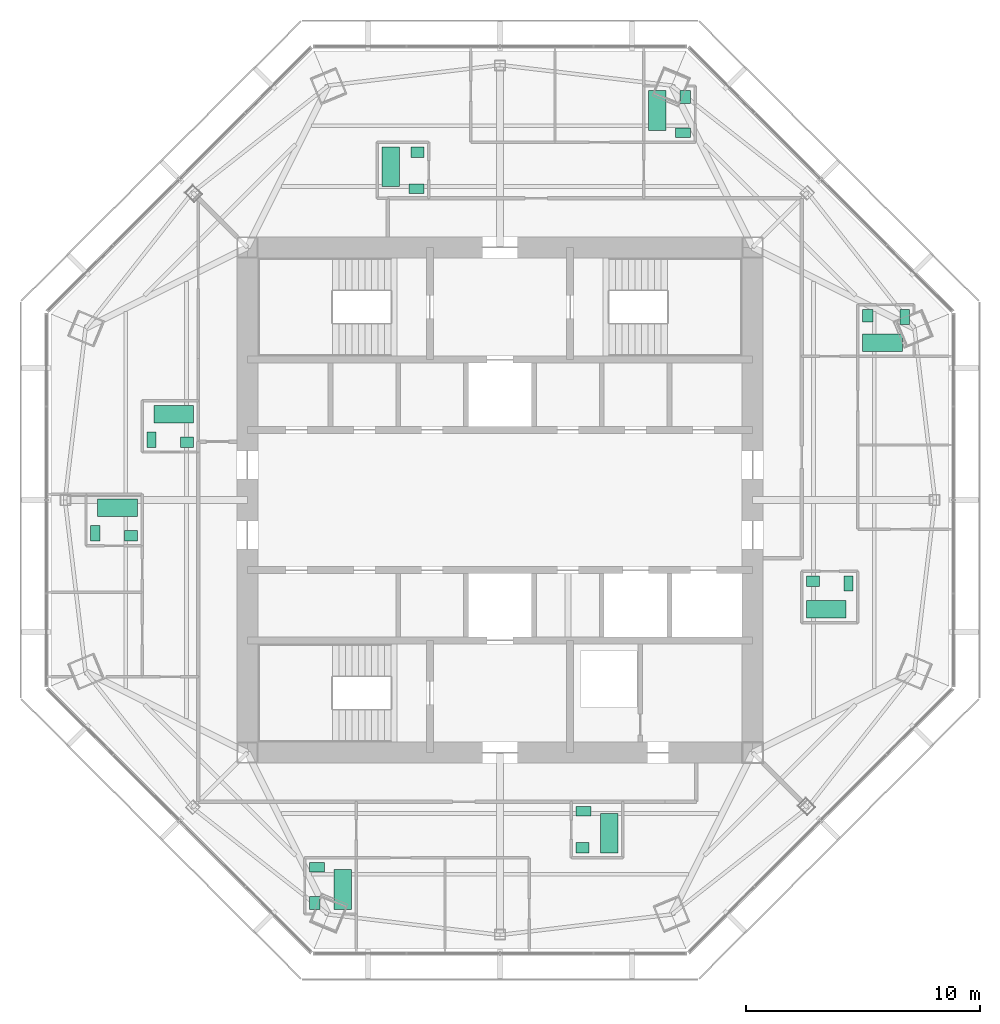
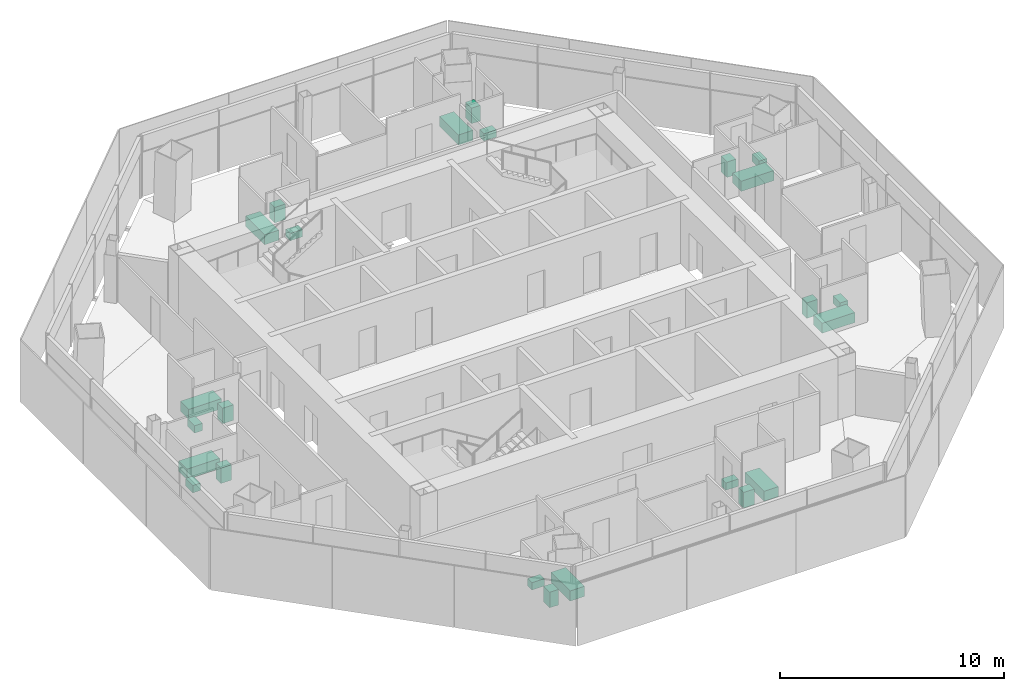
# One storey, part 15 of 15: 24 sanitary terminals.
"""IFC4 building model written with IfcOpenShell, lengths in metres."""

from ifc_helpers import new_model, si_unit, direction, frame, origin, origin_2d, place, context, subcontext, project, spatial, rectangle, extrude, material, type_object, element, save


model = new_model("IFC4")

# Units and contexts
model_context = context("Model", 3, precision=1e-05, world=origin(), true_north=direction((0.0, 1.0)))
body_context = subcontext(model_context, "Body", "Model", "MODEL_VIEW")
ifc_project = project(units=[si_unit("LENGTHUNIT", "METRE"), si_unit("AREAUNIT", "SQUARE_METRE"), si_unit("VOLUMEUNIT", "CUBIC_METRE"), si_unit("PLANEANGLEUNIT", "RADIAN"), si_unit("MASSUNIT", "GRAM", prefix="KILO")], contexts=[model_context])

# Site, building, storey
site_placement = place(None, origin())
site = spatial("IfcSite", under=ifc_project, at=site_placement, CompositionType="ELEMENT")
building_placement = place(site_placement, origin())
building = spatial("IfcBuilding", under=site, at=building_placement, Name="Mashrafa Tower", CompositionType="ELEMENT")
storey_placement = place(building_placement, frame((0.0, 0.0, 304.800048828125)))
storey = spatial("IfcBuildingStorey", under=building, at=storey_placement, Name="L75", CompositionType="ELEMENT", Elevation=304.800048828125)

# Sanitary terminals
ifc_material_1 = material(Name="Enamelled steel", Category="steel")
sanitary_terminal_type_1 = type_object("IfcSanitaryTerminalType", Name="Bath 1700 x 750", PredefinedType="BATH", material=ifc_material_1)
for number, where, z_axis, x_axis, name in (
    (1, (13.949951171875, -4.675048828125, 0.0), (0.0, 0.0, 1.0), (1.0, 0.0, 0.0), "Bath Apartment 7501 Bathroom"),
    (2, (16.35009765625, 6.72509765625, 0.0), (0.0, 0.0, 1.0), (1.0, 0.0, 0.0), "Bath Apartment 7501 En-suite Bathroom"),
    (3, (-4.675048828125, 14.25, 0.0), (0.0, 0.0, 1.0), (0.0, -1.0, 0.0), "Bath Apartment 7502 Bathroom"),
    (4, (6.72509765625, 16.64990234375, 0.0), (0.0, 0.0, 1.0), (0.0, -1.0, 0.0), "Bath Apartment 7502 En-suite Bathroom"),
    (5, (-13.949951171875, 3.675048828125, 0.0), (0.0, 0.0, 1.0), (-1.0, 0.0, 0.0), "Bath Apartment 7503 Bathroom"),
    (6, (-16.35009765625, -0.324951171875, 0.0), (0.0, 0.0, 1.0), (-1.0, 0.0, 0.0), "Bath Apartment 7503 En-suite Bathroom"),
    (7, (4.675048828125, -14.25, 0.0), (0.0, 0.0, 1.0), (0.0, 1.0, 0.0), "Bath Apartment 7504 Bathroom"),
    (8, (-6.72509765625, -16.64990234375, 0.0), (0.0, 0.0, 1.0), (0.0, 1.0, 0.0), "Bath Apartment 7504 En-suite Bathroom"),
):
    element("IfcSanitaryTerminal", number, at=place(storey_placement, frame(where, z_axis=z_axis, x_axis=x_axis)), inside=storey, type_object=sanitary_terminal_type_1, Name=name, PredefinedType="BATH", context=body_context, shape_type="SweptSolid", body=[
        extrude(rectangle(XDim=1.699951171875, YDim=0.75, at=origin_2d()), origin(), (0.0, 0.0, 1.0), 0.550048828125),
    ])
ifc_material_2 = material(Name="Vitreous china")
sanitary_terminal_type_2 = type_object("IfcSanitaryTerminalType", Name="Toilet pan 400 x 650", PredefinedType="TOILETPAN", material=ifc_material_2)
for number, where, z_axis, x_axis, name in (
    (9, (14.89990234375, -3.574951171875, 0.0), (0.0, 0.0, 1.0), (-1.0, 0.0, 0.0), "Toilet pan Apartment 7501 Bathroom"),
    (10, (17.300048828125, 7.824951171875, 0.0), (0.0, 0.0, 1.0), (-1.0, 0.0, 0.0), "Toilet pan Apartment 7501 En-suite Bathroom"),
    (11, (-3.574951171875, 13.300048828125, 0.0), (0.0, 0.0, 1.0), (0.0, 1.0, 0.0), "Toilet pan Apartment 7502 Bathroom"),
    (12, (7.824951171875, 15.699951171875, 0.0), (0.0, 0.0, 1.0), (0.0, 1.0, 0.0), "Toilet pan Apartment 7502 En-suite Bathroom"),
    (13, (-14.89990234375, 2.574951171875, 0.0), (0.0, 0.0, 1.0), (1.0, 0.0, 0.0), "Toilet pan Apartment 7503 Bathroom"),
    (14, (-17.300048828125, -1.425048828125, 0.0), (0.0, 0.0, 1.0), (1.0, 0.0, 0.0), "Toilet pan Apartment 7503 En-suite Bathroom"),
    (15, (3.574951171875, -13.300048828125, 0.0), (0.0, 0.0, 1.0), (0.0, -1.0, 0.0), "Toilet pan Apartment 7504 Bathroom"),
    (16, (-7.824951171875, -15.699951171875, 0.0), (0.0, 0.0, 1.0), (0.0, -1.0, 0.0), "Toilet pan Apartment 7504 En-suite Bathroom"),
):
    element("IfcSanitaryTerminal", number, at=place(storey_placement, frame(where, z_axis=z_axis, x_axis=x_axis)), inside=storey, type_object=sanitary_terminal_type_2, Name=name, PredefinedType="TOILETPAN", context=body_context, shape_type="SweptSolid", body=[
        extrude(rectangle(XDim=0.39990234375, YDim=0.64990234375, at=origin_2d()), origin(), (0.0, 0.0, 1.0), 0.39990234375),
    ])
ifc_material_3 = material(Name="Vitreous china")
sanitary_terminal_type_3 = type_object("IfcSanitaryTerminalType", Name="Wash basin 550 x 450", PredefinedType="WASHHANDBASIN", material=ifc_material_3)
for number, where, z_axis, x_axis, name in (
    (17, (13.375, -3.47509765625, 0.0), (0.0, 0.0, 1.0), (-1.0, 0.0, 0.0), "Wash basin Apartment 7501 Bathroom"),
    (18, (15.72509765625, 7.875, 0.0), (0.0, 0.0, 1.0), (0.0, -1.0, 0.0), "Wash basin Apartment 7501 En-suite Bathroom"),
    (19, (-3.52490234375, 14.875, 0.0), (0.0, 0.0, 1.0), (-1.0, 0.0, 0.0), "Wash basin Apartment 7502 Bathroom"),
    (20, (7.925048828125, 17.22509765625, 0.0), (0.0, 0.0, 1.0), (0.0, 1.0, 0.0), "Wash basin Apartment 7502 En-suite Bathroom"),
    (21, (-13.375, 2.47509765625, 0.0), (0.0, 0.0, 1.0), (1.0, 0.0, 0.0), "Wash basin Apartment 7503 Bathroom"),
    (22, (-15.77490234375, -1.52490234375, 0.0), (0.0, 0.0, 1.0), (1.0, 0.0, 0.0), "Wash basin Apartment 7503 En-suite Bathroom"),
    (23, (3.52490234375, -14.875, 0.0), (0.0, 0.0, 1.0), (1.0, 0.0, 0.0), "Wash basin Apartment 7504 Bathroom"),
    (24, (-7.925048828125, -17.22509765625, 0.0), (0.0, 0.0, 1.0), (0.0, -1.0, 0.0), "Wash basin Apartment 7504 En-suite Bathroom"),
):
    element("IfcSanitaryTerminal", number, at=place(storey_placement, frame(where, z_axis=z_axis, x_axis=x_axis)), inside=storey, type_object=sanitary_terminal_type_3, Name=name, PredefinedType="WASHHANDBASIN", context=body_context, shape_type="SweptSolid", body=[
        extrude(rectangle(XDim=0.550048828125, YDim=0.449951171875, at=origin_2d()), origin(), (0.0, 0.0, 1.0), 0.85009765625),
    ])

save(model, "model.ifc")
